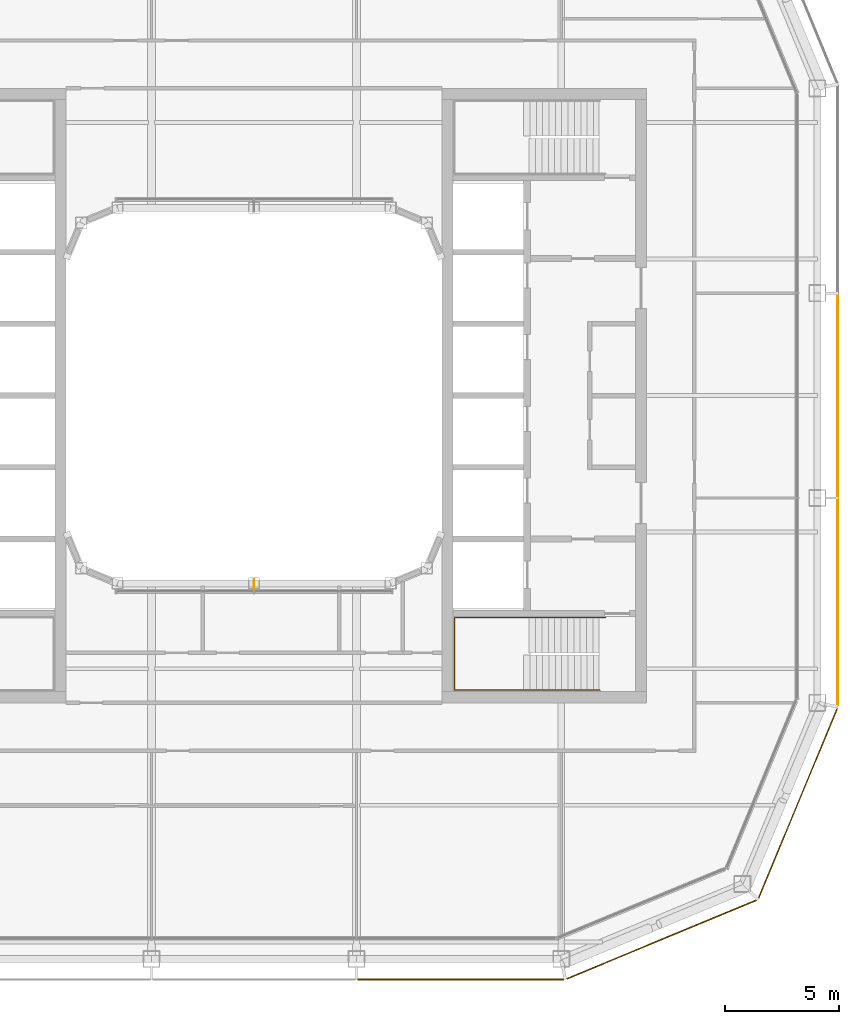
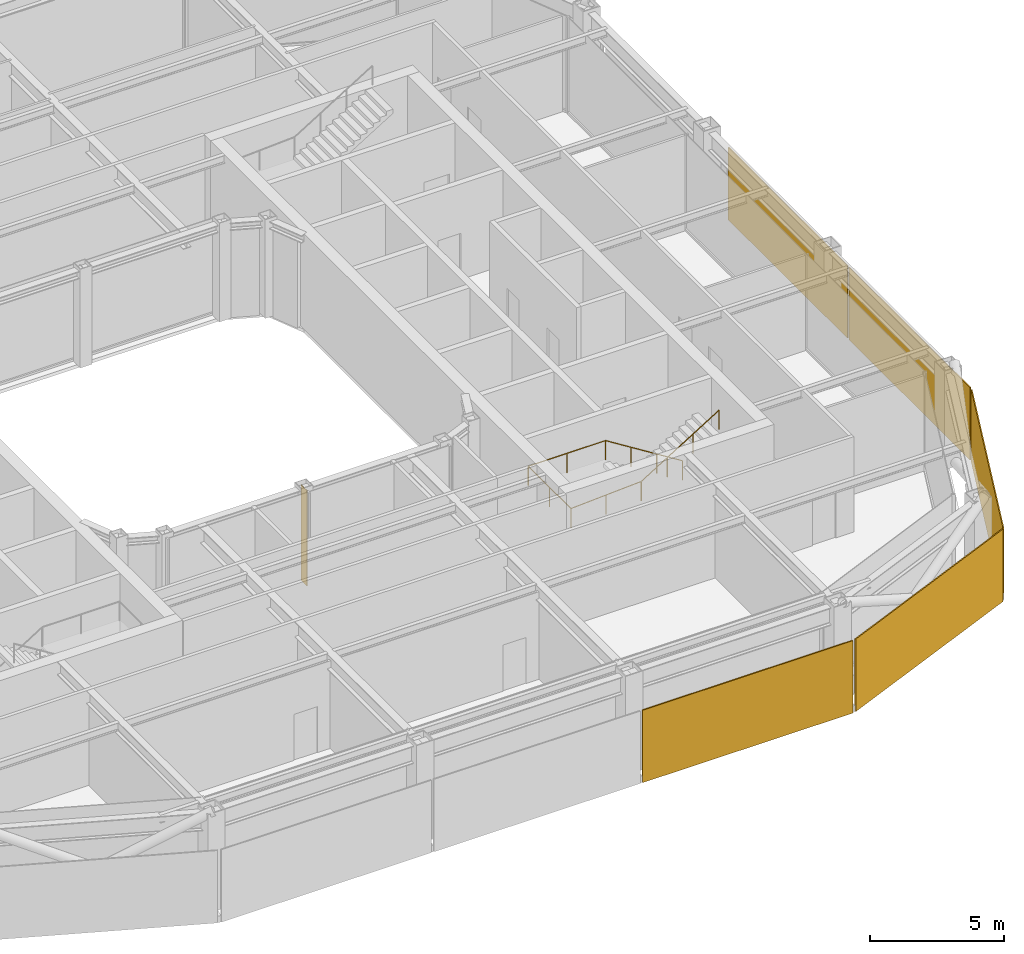
# One storey, part 18 of 21: 5 coverings, 1 railing, 1 shading device.
"""IFC4 building model written with IfcOpenShell, lengths in metres."""

from ifc_helpers import new_model, si_unit, direction, frame, origin, origin_2d, place, context, subcontext, project, spatial, rectangle, circle, extrude, material, layer, layer_set, type_object, element, save


model = new_model("IFC4")

# Units and contexts
model_context = context("Model", 3, precision=1e-05, world=origin(), true_north=direction((0.0, 1.0)))
body_context = subcontext(model_context, "Body", "Model", "MODEL_VIEW")
ifc_project = project(units=[si_unit("LENGTHUNIT", "METRE"), si_unit("AREAUNIT", "SQUARE_METRE"), si_unit("VOLUMEUNIT", "CUBIC_METRE"), si_unit("PLANEANGLEUNIT", "RADIAN"), si_unit("MASSUNIT", "GRAM", prefix="KILO")], contexts=[model_context])

# Site, building, storey
site_placement = place(None, origin())
site = spatial("IfcSite", under=ifc_project, at=site_placement, CompositionType="ELEMENT")
building_placement = place(site_placement, origin())
building = spatial("IfcBuilding", under=site, at=building_placement, Name="Siwar Civic Tower", CompositionType="ELEMENT")
storey_placement = place(building_placement, frame((0.0, 0.0, 312.199951171875)))
storey = spatial("IfcBuildingStorey", under=building, at=storey_placement, Name="L67", CompositionType="ELEMENT", Elevation=312.199951171875)

# Railing
ifc_material_1 = material(Name="Stainless steel", Category="steel")
railing_type = type_object("IfcRailingType", Name="CORE-STAIR-HANDRAIL", PredefinedType="HANDRAIL", material=ifc_material_1)
railing_placement = place(storey_placement, frame((15.449951171875, -9.758056640625, 0.173095703125)))
element("IfcRailing", 1, at=railing_placement, inside=storey, type_object=railing_type, Name="Stair handrail ST4", PredefinedType="HANDRAIL", context=body_context, shape_type="SweptSolid", body=[
    extrude(circle(Radius=0.02001953125, at=origin_2d()), frame((0.0, 0.0, 0.8798828125), z_axis=(-0.847063342986, 0.0, 0.531491950051), x_axis=(0.0, -1.0, 0.0)), (0.0, 0.0, 1.0), 3.90771484375),
    extrude(circle(Radius=0.02001953125, at=origin_2d()), frame((-3.31005859375, 0.0, 2.956787109375), z_axis=(-1.0, 0.0, 0.0), x_axis=(0.0, -1.0, 0.0)), (0.0, 0.0, 1.0), 3.331787109375),
    extrude(circle(Radius=0.02001953125, at=origin_2d()), frame((-6.641845703125, 0.0, 2.956787109375), z_axis=(0.0, -1.0, 0.0), x_axis=(1.0, 0.0, 0.0)), (0.0, 0.0, 1.0), 3.183837890625),
    extrude(circle(Radius=0.02001953125, at=origin_2d()), frame((-6.641845703125, -3.183837890625, 2.956787109375), z_axis=(0.99837434197, 0.0, 0.056997134106), x_axis=(0.0, 1.0, 0.0)), (0.0, 0.0, 1.0), 3.036865234375),
    extrude(circle(Radius=0.02001953125, at=origin_2d()), frame((-3.60986328125, -3.183837890625, 3.1298828125), z_axis=(0.850606129759, 0.0, 0.525803396734), x_axis=(0.0, 1.0, 0.0)), (0.0, 0.0, 1.0), 3.949951171875),
    extrude(circle(Radius=0.02001953125, at=origin_2d()), origin(), (0.0, 0.0, 1.0), 0.85986328125),
    extrude(circle(Radius=0.02001953125, at=origin_2d()), frame((-1.103271484375, 0.0, 0.6923828125)), (0.0, 0.0, 1.0), 0.85986328125),
    extrude(circle(Radius=0.02001953125, at=origin_2d()), frame((-2.206787109375, 0.0, 1.384521484375)), (0.0, 0.0, 1.0), 0.85986328125),
    extrude(circle(Radius=0.02001953125, at=origin_2d()), frame((-3.31005859375, 0.0, 2.076904296875)), (0.0, 0.0, 1.0), 0.85986328125),
    extrude(circle(Radius=0.02001953125, at=origin_2d()), frame((-4.97607421875, 0.0, 2.076904296875)), (0.0, 0.0, 1.0), 0.85986328125),
    extrude(circle(Radius=0.02001953125, at=origin_2d()), frame((-6.641845703125, 0.0, 2.076904296875)), (0.0, 0.0, 1.0), 0.85986328125),
    extrude(circle(Radius=0.02001953125, at=origin_2d()), frame((-6.641845703125, -1.591796875, 2.076904296875)), (0.0, 0.0, 1.0), 0.85986328125),
    extrude(circle(Radius=0.02001953125, at=origin_2d()), frame((-6.641845703125, -3.183837890625, 2.076904296875)), (0.0, 0.0, 1.0), 0.85986328125),
    extrude(circle(Radius=0.02001953125, at=origin_2d()), frame((-5.1259765625, -3.183837890625, 2.16357421875)), (0.0, 0.0, 1.0), 0.85986328125),
    extrude(circle(Radius=0.02001953125, at=origin_2d()), frame((-3.60986328125, -3.183837890625, 2.25)), (0.0, 0.0, 1.0), 0.85986328125),
    extrude(circle(Radius=0.02001953125, at=origin_2d()), frame((-2.489990234375, -3.183837890625, 2.9423828125)), (0.0, 0.0, 1.0), 0.85986328125),
    extrude(circle(Radius=0.02001953125, at=origin_2d()), frame((-1.369873046875, -3.183837890625, 3.634521484375)), (0.0, 0.0, 1.0), 0.85986328125),
    extrude(circle(Radius=0.02001953125, at=origin_2d()), frame((-0.25, -3.183837890625, 4.326904296875)), (0.0, 0.0, 1.0), 0.85986328125),
])

# Shading device
ifc_material_2 = material(Name="Aluminium 6063-T6", Category="aluminium")
ifc_layer_1 = layer(ifc_material_2, 0.02001953125)
ifc_layer_set_1 = layer_set([ifc_layer_1], Name="Aluminium 6063-T6")
shading_device_type = type_object("IfcShadingDeviceType", Name="ENV-FIN", PredefinedType="JALOUSIE", material=ifc_layer_set_1)
shading_device_placement = place(storey_placement, frame((0.0, -8.294921875, 0.0), z_axis=(0.0, 0.0, 1.0), x_axis=(1.0, 0.0, 0.0)))
element("IfcShadingDevice", 2, at=shading_device_placement, inside=storey, type_object=shading_device_type, Name="SUNSHADE fin WS 1", PredefinedType="JALOUSIE", context=body_context, shape_type="SweptSolid", body=[
    extrude(rectangle(XDim=0.02001953125, YDim=0.449951171875, at=origin_2d()), origin(), (0.0, 0.0, 1.0), 4.35009765625),
])

# Coverings
ifc_material_3 = material(Name="Perforated aluminium cassette, pale metal", Category="aluminium")
ifc_layer_2 = layer(ifc_material_3, 0.0400390625)
ifc_layer_set_2 = layer_set([ifc_layer_2], Name="Perforated aluminium cassette, pale metal")
covering_type_1 = type_object("IfcCoveringType", Name="ENV-OUTER SKIN OS-1", PredefinedType="CLADDING", material=ifc_layer_set_2)
covering_1_placement = place(storey_placement, frame((25.64990234375, -9.07958984375, -0.14990234375), z_axis=(0.0, 0.0, 1.0), x_axis=(0.0, 1.0, 0.0)))
element("IfcCovering", 3, at=covering_1_placement, inside=storey, type_object=covering_type_1, Name="OUTER SKIN OS-1 E 1", PredefinedType="CLADDING", context=body_context, shape_type="SweptSolid", body=[
    extrude(rectangle(XDim=9.05908203125, YDim=0.0400390625, at=origin_2d()), origin(), (0.0, 0.0, 1.0), 3.300048828125),
])
covering_2_placement = place(storey_placement, frame((25.64990234375, 0.0, -0.14990234375), z_axis=(0.0, 0.0, 1.0), x_axis=(0.0, 1.0, 0.0)))
element("IfcCovering", 4, at=covering_2_placement, inside=storey, type_object=covering_type_1, Name="OUTER SKIN OS-1 E 2", PredefinedType="CLADDING", context=body_context, shape_type="SweptSolid", body=[
    extrude(rectangle(XDim=8.89990234375, YDim=0.0400390625, at=origin_2d()), origin(), (0.0, 0.0, 1.0), 3.300048828125),
])
ifc_material_4 = material(Name="Perforated aluminium cassette, pale metal", Category="aluminium")
ifc_layer_3 = layer(ifc_material_4, 0.044921875)
ifc_layer_set_3 = layer_set([ifc_layer_3], Name="Perforated aluminium cassette, pale metal")
covering_type_2 = type_object("IfcCoveringType", Name="ENV-OUTER SKIN OS-2", PredefinedType="CLADDING", material=ifc_layer_set_3)
covering_3_placement = place(storey_placement, frame((23.89697265625, -17.911376953125, -0.14990234375), z_axis=(0.0, 0.0, 1.0), x_axis=(0.382683432365, 0.923879532511, 0.0)))
element("IfcCovering", 5, at=covering_3_placement, inside=storey, type_object=covering_type_2, Name="OUTER SKIN OS-2 SE2 1", PredefinedType="CLADDING", context=body_context, shape_type="SweptSolid", body=[
    extrude(rectangle(XDim=9.022216796875, YDim=0.044921875, at=origin_2d()), origin(), (0.0, 0.0, 1.0), 3.300048828125),
])
ifc_material_5 = material(Name="Perforated aluminium cassette, pale metal", Category="aluminium")
ifc_layer_4 = layer(ifc_material_5, 0.050048828125)
ifc_layer_set_4 = layer_set([ifc_layer_4], Name="Perforated aluminium cassette, pale metal")
covering_type_3 = type_object("IfcCoveringType", Name="ENV-OUTER SKIN OS-3", PredefinedType="CLADDING", material=ifc_layer_set_4)
covering_4_placement = place(storey_placement, frame((17.911376953125, -23.89697265625, -0.14990234375), z_axis=(0.0, 0.0, 1.0), x_axis=(0.923879532511, 0.382683432365, 0.0)))
element("IfcCovering", 6, at=covering_4_placement, inside=storey, type_object=covering_type_3, Name="OUTER SKIN OS-3 SE1 1", PredefinedType="CLADDING", context=body_context, shape_type="SweptSolid", body=[
    extrude(rectangle(XDim=9.022216796875, YDim=0.050048828125, at=origin_2d()), origin(), (0.0, 0.0, 1.0), 3.300048828125),
])
ifc_material_6 = material(Name="Perforated aluminium cassette, pale metal", Category="aluminium")
ifc_layer_5 = layer(ifc_material_6, 0.054931640625)
ifc_layer_set_5 = layer_set([ifc_layer_5], Name="Perforated aluminium cassette, pale metal")
covering_type_4 = type_object("IfcCoveringType", Name="ENV-OUTER SKIN OS-4", PredefinedType="CLADDING", material=ifc_layer_set_5)
covering_5_placement = place(storey_placement, frame((9.07958984375, -25.64990234375, -0.14990234375), z_axis=(0.0, 0.0, 1.0), x_axis=(1.0, 0.0, 0.0)))
element("IfcCovering", 7, at=covering_5_placement, inside=storey, type_object=covering_type_4, Name="OUTER SKIN OS-4 S 3", PredefinedType="CLADDING", context=body_context, shape_type="SweptSolid", body=[
    extrude(rectangle(XDim=9.05908203125, YDim=0.054931640625, at=origin_2d()), origin(), (0.0, 0.0, 1.0), 3.300048828125),
])

save(model, "model.ifc")
